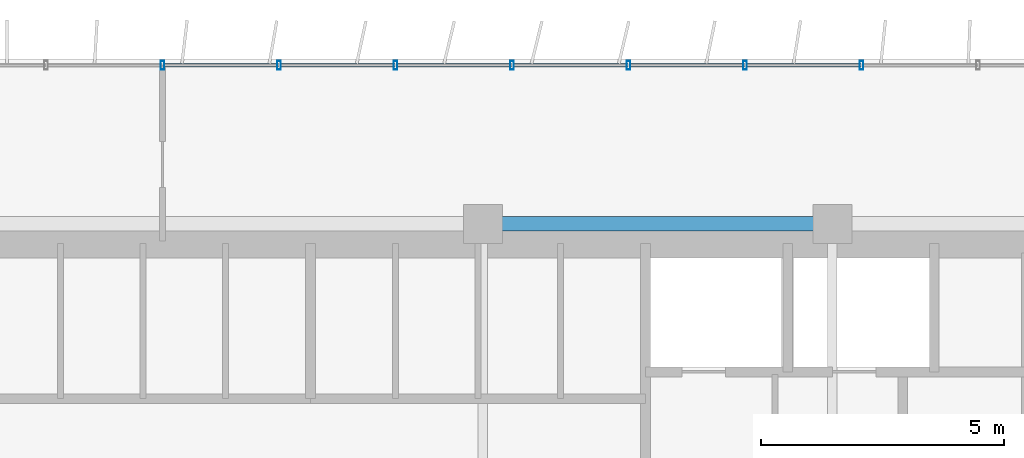
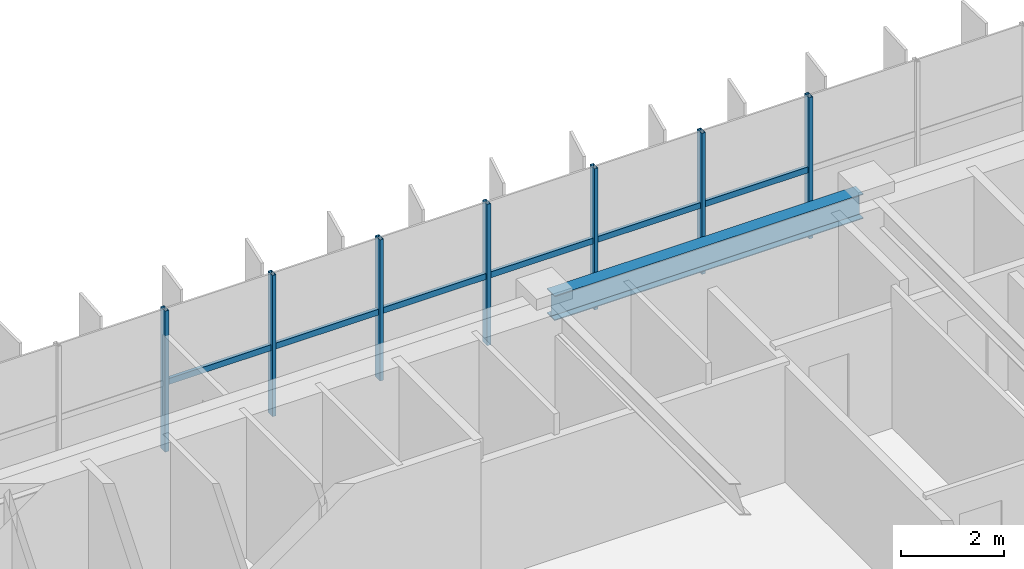
# One storey, part 9 of 22: 13 members, 1 beam, 1 element without a shape of its own.
"""IFC4 building model written with IfcOpenShell, lengths in metres."""

from ifc_helpers import new_model, si_unit, direction, frame, origin, origin_2d, place, context, subcontext, project, spatial, hollow_rectangle, i_section, extrude, source, transform, mapped, material, material_profile, profile_set, type_object, element, aggregate, save


model = new_model("IFC4")

# Units and contexts
model_context = context("Model", 3, precision=1e-05, world=origin(), true_north=direction((0.0, 1.0)))
body_context = subcontext(model_context, "Body", "Model", "MODEL_VIEW")
ifc_project = project(units=[si_unit("LENGTHUNIT", "METRE"), si_unit("AREAUNIT", "SQUARE_METRE"), si_unit("VOLUMEUNIT", "CUBIC_METRE"), si_unit("PLANEANGLEUNIT", "RADIAN"), si_unit("MASSUNIT", "GRAM", prefix="KILO")], contexts=[model_context])

# Site, building, storey
site_placement = place(None, origin())
site = spatial("IfcSite", under=ifc_project, at=site_placement, CompositionType="ELEMENT")
building_placement = place(site_placement, origin())
building = spatial("IfcBuilding", under=site, at=building_placement, Name="Trelvane Seafront Commons", CompositionType="ELEMENT")
storey_placement = place(building_placement, frame((0.0, 0.0, 85.300048828125)))
storey = spatial("IfcBuildingStorey", under=building, at=storey_placement, Name="L21", CompositionType="ELEMENT", Elevation=85.300048828125)

# Beam
ifc_material_1 = material(Name="Steel SM355 (S355)", Category="steel")
ifc_material_profile_1 = material_profile(ifc_material_1, i_section(OverallWidth=0.300048828125, OverallDepth=0.587890625, WebThickness=0.011962890625, FlangeThickness=0.02001953125, at=origin_2d()), Name="H-588x300x12x20")
ifc_profile_set_1 = profile_set([ifc_material_profile_1], Name="Steel SM355 (S355)")
beam_type = type_object("IfcBeamType", Name="STR-BM-H588", PredefinedType="BEAM", material=ifc_profile_set_1)
shared_shape_1 = source(origin(), body_context, "Body", "SweptSolid", [
    extrude(i_section(OverallWidth=0.300048828125, OverallDepth=0.587890625, WebThickness=0.011962890625, FlangeThickness=0.02001953125, at=origin_2d()), origin(), (0.0, 0.0, 1.0), 6.900146484375),
])
beam_placement = place(storey_placement, frame((43.949951171875, 45.10009765625, 3.0458984375), z_axis=(1.0, 0.0, 0.0), x_axis=(0.0, 1.0, 0.0)))
element("IfcBeam", 1, at=beam_placement, inside=storey, type_object=beam_type, Name="L21 Primary Girder G-33", PredefinedType="BEAM", context=body_context, shape_type="MappedRepresentation", body=[
    mapped(shared_shape_1, transform((0.0, 0.0, 0.0), x_axis=(1.0, 0.0, 0.0), y_axis=(0.0, 1.0, 0.0), z_axis=(0.0, 0.0, 1.0), scale=1.0)),
])

# Curtain wall, members
ifc_material_2 = material(Name="Anodised pale-silver aluminium", Category="aluminium")
curtain_wall_type = type_object("IfcCurtainWallType", Name="ARCH-CW4-SKYLOBBY", PredefinedType="NOTDEFINED", material=ifc_material_2)
curtain_wall_placement = place(storey_placement, origin())
curtain_wall = element("IfcCurtainWall", 2, at=curtain_wall_placement, inside=storey, type_object=curtain_wall_type, Name="CW-L21-0046", PredefinedType="NOTDEFINED")
ifc_material_profile_2 = material_profile(ifc_material_2, hollow_rectangle(XDim=0.074951171875, YDim=0.139892578125, WallThickness=0.00390625, at=origin_2d()), Name="TRAN-75x140x4")
ifc_profile_set_2 = profile_set([ifc_material_profile_2], Name="Anodised pale-silver aluminium")
member_type_1 = type_object("IfcMemberType", Name="ARCH-CW-TRAN-140", PredefinedType="USERDEFINED", material=ifc_profile_set_2)
shared_shape_2 = source(origin(), body_context, "Body", "SweptSolid", [
    extrude(hollow_rectangle(XDim=0.074951171875, YDim=0.139892578125, WallThickness=0.00390625, at=origin_2d()), origin(), (0.0, 0.0, 1.0), 2.3759765625),
])
member_1_placement = place(storey_placement, frame((37.2119140625, 48.3701171875, 1.60302734375), z_axis=(1.0, 0.0, 0.0), x_axis=(0.0, 1.0, 0.0)))
member_1 = element("IfcMember", 3, at=member_1_placement, type_object=member_type_1, Name="CW-L21-0046-T09", ObjectType="TRANSOM", PredefinedType="USERDEFINED", context=body_context, shape_type="MappedRepresentation", body=[
    mapped(shared_shape_2, transform((0.0, 0.0, 0.0), x_axis=(1.0, 0.0, 0.0), y_axis=(0.0, 1.0, 0.0), z_axis=(0.0, 0.0, 1.0), scale=1.0)),
])
member_2_placement = place(storey_placement, frame((39.612060546875, 48.3701171875, 1.60302734375), z_axis=(1.0, 0.0, 0.0), x_axis=(0.0, 1.0, 0.0)))
member_2 = element("IfcMember", 4, at=member_2_placement, type_object=member_type_1, Name="CW-L21-0046-T10", ObjectType="TRANSOM", PredefinedType="USERDEFINED", context=body_context, shape_type="MappedRepresentation", body=[
    mapped(shared_shape_2, transform((0.0, 0.0, 0.0), x_axis=(1.0, 0.0, 0.0), y_axis=(0.0, 1.0, 0.0), z_axis=(0.0, 0.0, 1.0), scale=1.0)),
])
member_3_placement = place(storey_placement, frame((42.011962890625, 48.3701171875, 1.60302734375), z_axis=(1.0, 0.0, 0.0), x_axis=(0.0, 1.0, 0.0)))
member_3 = element("IfcMember", 5, at=member_3_placement, type_object=member_type_1, Name="CW-L21-0046-T11", ObjectType="TRANSOM", PredefinedType="USERDEFINED", context=body_context, shape_type="MappedRepresentation", body=[
    mapped(shared_shape_2, transform((0.0, 0.0, 0.0), x_axis=(1.0, 0.0, 0.0), y_axis=(0.0, 1.0, 0.0), z_axis=(0.0, 0.0, 1.0), scale=1.0)),
])
member_4_placement = place(storey_placement, frame((44.412109375, 48.3701171875, 1.60302734375), z_axis=(1.0, 0.0, 0.0), x_axis=(0.0, 1.0, 0.0)))
member_4 = element("IfcMember", 6, at=member_4_placement, type_object=member_type_1, Name="CW-L21-0046-T12", ObjectType="TRANSOM", PredefinedType="USERDEFINED", context=body_context, shape_type="MappedRepresentation", body=[
    mapped(shared_shape_2, transform((0.0, 0.0, 0.0), x_axis=(1.0, 0.0, 0.0), y_axis=(0.0, 1.0, 0.0), z_axis=(0.0, 0.0, 1.0), scale=1.0)),
])
member_5_placement = place(storey_placement, frame((46.81201171875, 48.3701171875, 1.60302734375), z_axis=(1.0, 0.0, 0.0), x_axis=(0.0, 1.0, 0.0)))
member_5 = element("IfcMember", 7, at=member_5_placement, type_object=member_type_1, Name="CW-L21-0046-T13", ObjectType="TRANSOM", PredefinedType="USERDEFINED", context=body_context, shape_type="MappedRepresentation", body=[
    mapped(shared_shape_2, transform((0.0, 0.0, 0.0), x_axis=(1.0, 0.0, 0.0), y_axis=(0.0, 1.0, 0.0), z_axis=(0.0, 0.0, 1.0), scale=1.0)),
])
member_6_placement = place(storey_placement, frame((49.2119140625, 48.3701171875, 1.60302734375), z_axis=(1.0, 0.0, 0.0), x_axis=(0.0, 1.0, 0.0)))
member_6 = element("IfcMember", 8, at=member_6_placement, type_object=member_type_1, Name="CW-L21-0046-T14", ObjectType="TRANSOM", PredefinedType="USERDEFINED", context=body_context, shape_type="MappedRepresentation", body=[
    mapped(shared_shape_2, transform((0.0, 0.0, 0.0), x_axis=(1.0, 0.0, 0.0), y_axis=(0.0, 1.0, 0.0), z_axis=(0.0, 0.0, 1.0), scale=1.0)),
])
ifc_material_profile_3 = material_profile(ifc_material_2, hollow_rectangle(XDim=0.080078125, YDim=0.179931640625, WallThickness=0.00439453125, at=origin_2d()), Name="MULL-80x180x4.5")
ifc_profile_set_3 = profile_set([ifc_material_profile_3], Name="Anodised pale-silver aluminium")
member_type_2 = type_object("IfcMemberType", Name="ARCH-CW-MULL-180", PredefinedType="MULLION", material=ifc_profile_set_3)
shared_shape_3 = source(origin(), body_context, "Body", "SweptSolid", [
    extrude(hollow_rectangle(XDim=0.080078125, YDim=0.179931640625, WallThickness=0.00439453125, at=origin_2d()), origin(), (0.0, 0.0, 1.0), 3.33984375),
])
member_7_placement = place(storey_placement, frame((37.199951171875, 48.3701171875, 0.0), z_axis=(0.0, 0.0, 1.0), x_axis=(1.0, 0.0, 0.0)))
member_7 = element("IfcMember", 9, at=member_7_placement, type_object=member_type_2, Name="CW-L21-0046-M09", PredefinedType="MULLION", context=body_context, shape_type="MappedRepresentation", body=[
    mapped(shared_shape_3, transform((0.0, 0.0, 0.0), x_axis=(1.0, 0.0, 0.0), y_axis=(0.0, 1.0, 0.0), z_axis=(0.0, 0.0, 1.0), scale=1.0)),
])
member_8_placement = place(storey_placement, frame((39.60009765625, 48.3701171875, 0.0), z_axis=(0.0, 0.0, 1.0), x_axis=(1.0, 0.0, 0.0)))
member_8 = element("IfcMember", 10, at=member_8_placement, type_object=member_type_2, Name="CW-L21-0046-M10", PredefinedType="MULLION", context=body_context, shape_type="MappedRepresentation", body=[
    mapped(shared_shape_3, transform((0.0, 0.0, 0.0), x_axis=(1.0, 0.0, 0.0), y_axis=(0.0, 1.0, 0.0), z_axis=(0.0, 0.0, 1.0), scale=1.0)),
])
member_9_placement = place(storey_placement, frame((42.0, 48.3701171875, 0.0), z_axis=(0.0, 0.0, 1.0), x_axis=(1.0, 0.0, 0.0)))
member_9 = element("IfcMember", 11, at=member_9_placement, type_object=member_type_2, Name="CW-L21-0046-M11", PredefinedType="MULLION", context=body_context, shape_type="MappedRepresentation", body=[
    mapped(shared_shape_3, transform((0.0, 0.0, 0.0), x_axis=(1.0, 0.0, 0.0), y_axis=(0.0, 1.0, 0.0), z_axis=(0.0, 0.0, 1.0), scale=1.0)),
])
member_10_placement = place(storey_placement, frame((44.39990234375, 48.3701171875, 0.0), z_axis=(0.0, 0.0, 1.0), x_axis=(1.0, 0.0, 0.0)))
member_10 = element("IfcMember", 12, at=member_10_placement, type_object=member_type_2, Name="CW-L21-0046-M12", PredefinedType="MULLION", context=body_context, shape_type="MappedRepresentation", body=[
    mapped(shared_shape_3, transform((0.0, 0.0, 0.0), x_axis=(1.0, 0.0, 0.0), y_axis=(0.0, 1.0, 0.0), z_axis=(0.0, 0.0, 1.0), scale=1.0)),
])
member_11_placement = place(storey_placement, frame((46.800048828125, 48.3701171875, 0.0), z_axis=(0.0, 0.0, 1.0), x_axis=(1.0, 0.0, 0.0)))
member_11 = element("IfcMember", 13, at=member_11_placement, type_object=member_type_2, Name="CW-L21-0046-M13", PredefinedType="MULLION", context=body_context, shape_type="MappedRepresentation", body=[
    mapped(shared_shape_3, transform((0.0, 0.0, 0.0), x_axis=(1.0, 0.0, 0.0), y_axis=(0.0, 1.0, 0.0), z_axis=(0.0, 0.0, 1.0), scale=1.0)),
])
member_12_placement = place(storey_placement, frame((49.199951171875, 48.3701171875, 0.0), z_axis=(0.0, 0.0, 1.0), x_axis=(1.0, 0.0, 0.0)))
member_12 = element("IfcMember", 14, at=member_12_placement, type_object=member_type_2, Name="CW-L21-0046-M14", PredefinedType="MULLION", context=body_context, shape_type="MappedRepresentation", body=[
    mapped(shared_shape_3, transform((0.0, 0.0, 0.0), x_axis=(1.0, 0.0, 0.0), y_axis=(0.0, 1.0, 0.0), z_axis=(0.0, 0.0, 1.0), scale=1.0)),
])
member_13_placement = place(storey_placement, frame((51.60009765625, 48.3701171875, 0.0), z_axis=(0.0, 0.0, 1.0), x_axis=(1.0, 0.0, 0.0)))
member_13 = element("IfcMember", 15, at=member_13_placement, type_object=member_type_2, Name="CW-L21-0046-M15", PredefinedType="MULLION", context=body_context, shape_type="MappedRepresentation", body=[
    mapped(shared_shape_3, transform((0.0, 0.0, 0.0), x_axis=(1.0, 0.0, 0.0), y_axis=(0.0, 1.0, 0.0), z_axis=(0.0, 0.0, 1.0), scale=1.0)),
])
aggregate(curtain_wall, [member_7, member_8, member_9, member_10, member_11, member_12, member_13, member_1, member_2, member_3, member_4, member_5, member_6])

save(model, "model.ifc")
